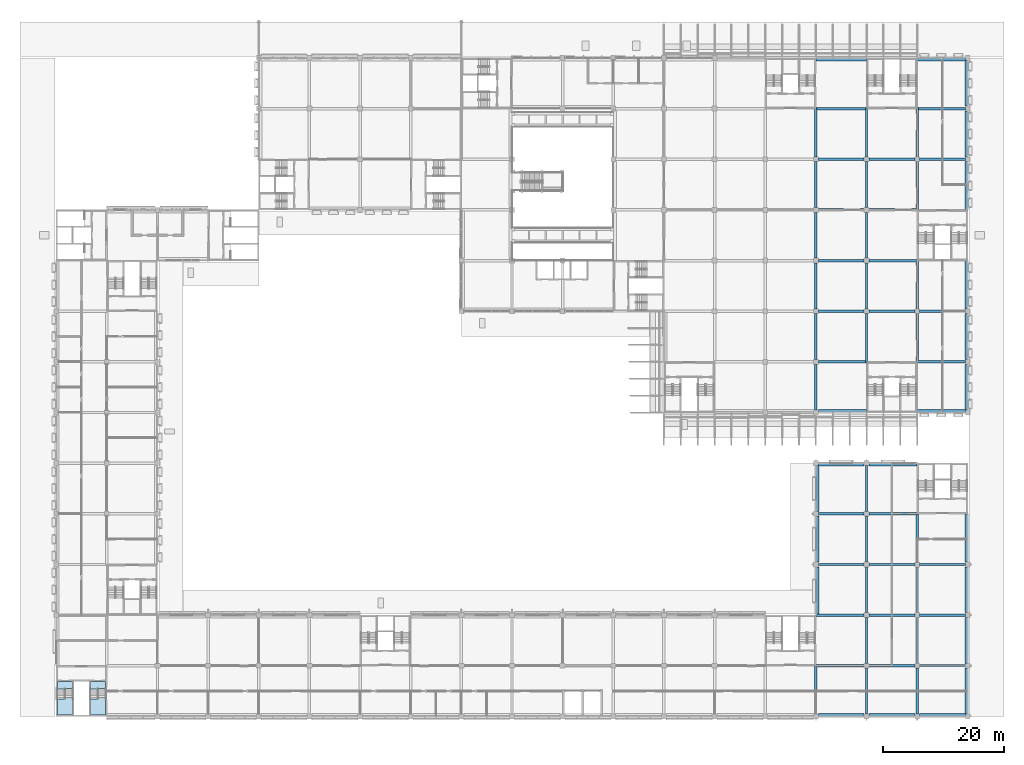
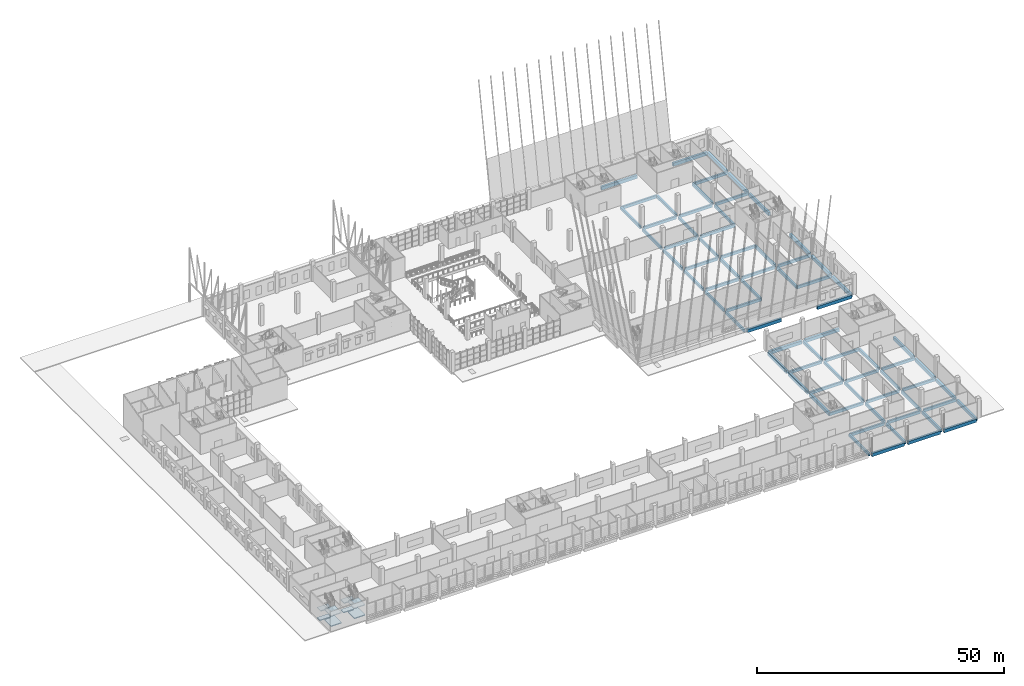
# One storey, part 19 of 101: 72 beams, 8 slabs, 2 elements without a shape of their own.
"""IFC4 building model written with IfcOpenShell, lengths in metres."""

from ifc_helpers import new_model, si_unit, direction, frame, origin, origin_2d, place, context, subcontext, project, spatial, polyline, rectangle, outline, extrude, material, layer, layer_set, material_profile, profile_set, type_object, element, aggregate, save


model = new_model("IFC4")

# Units and contexts
model_context = context("Model", 3, precision=1e-05, world=origin(), true_north=direction((0.0, 1.0)))
body_context = subcontext(model_context, "Body", "Model", "MODEL_VIEW")
ifc_project = project(units=[si_unit("LENGTHUNIT", "METRE"), si_unit("AREAUNIT", "SQUARE_METRE"), si_unit("VOLUMEUNIT", "CUBIC_METRE"), si_unit("PLANEANGLEUNIT", "RADIAN"), si_unit("MASSUNIT", "GRAM", prefix="KILO")], contexts=[model_context])

# Site, building, storey
site_placement = place(None, origin())
site = spatial("IfcSite", under=ifc_project, at=site_placement, CompositionType="ELEMENT")
building_placement = place(site_placement, origin())
building = spatial("IfcBuilding", under=site, at=building_placement, Name="Almond Square Museum", CompositionType="ELEMENT")
storey_placement = place(building_placement, frame((0.0, 0.0, 5.5)))
storey = spatial("IfcBuildingStorey", under=building, at=storey_placement, Name="L01", CompositionType="ELEMENT", Elevation=5.5)

# Beams
ifc_material_1 = material(Name="Concrete C40/50", Category="concrete")
ifc_material_profile_1 = material_profile(ifc_material_1, rectangle(XDim=0.39990234375, YDim=0.699951171875, at=origin_2d()))
ifc_profile_set_1 = profile_set([ifc_material_profile_1], Name="Concrete C40/50")
beam_type_1 = type_object("IfcBeamType", Name="RC beam 400 x 700 C40/50", PredefinedType="BEAM", material=ifc_profile_set_1)
beam_1_placement = place(storey_placement, frame((132.0, 8.39990234375, -0.60009765625), z_axis=(1.0, 0.0, 0.0), x_axis=(0.0, 1.0, 0.0)))
element("IfcBeam", 1, at=beam_1_placement, inside=storey, type_object=beam_type_1, Name="Beam B 17-18 L01", PredefinedType="BEAM", context=body_context, shape_type="SweptSolid", body=[
    extrude(rectangle(XDim=0.39990234375, YDim=0.699951171875, at=origin_2d()), origin(), (0.0, 0.0, 1.0), 8.0),
])
beam_2_placement = place(storey_placement, frame((140.800048828125, 8.39990234375, -0.60009765625), z_axis=(1.0, 0.0, 0.0), x_axis=(0.0, 1.0, 0.0)))
element("IfcBeam", 2, at=beam_2_placement, inside=storey, type_object=beam_type_1, Name="Beam B 18-19 L01", PredefinedType="BEAM", context=body_context, shape_type="SweptSolid", body=[
    extrude(rectangle(XDim=0.39990234375, YDim=0.699951171875, at=origin_2d()), origin(), (0.0, 0.0, 1.0), 7.599853515625),
])
beam_3_placement = place(storey_placement, frame((149.199951171875, 8.39990234375, -0.60009765625), z_axis=(1.0, 0.0, 0.0), x_axis=(0.0, 1.0, 0.0)))
element("IfcBeam", 3, at=beam_3_placement, inside=storey, type_object=beam_type_1, Name="Beam B 19-20 L01", PredefinedType="BEAM", context=body_context, shape_type="SweptSolid", body=[
    extrude(rectangle(XDim=0.39990234375, YDim=0.699951171875, at=origin_2d()), origin(), (0.0, 0.0, 1.0), 7.60009765625),
])
beam_4_placement = place(storey_placement, frame((132.0, 16.800048828125, -0.60009765625), z_axis=(1.0, 0.0, 0.0), x_axis=(0.0, 1.0, 0.0)))
element("IfcBeam", 4, at=beam_4_placement, inside=storey, type_object=beam_type_1, Name="Beam C 17-18 L01", PredefinedType="BEAM", context=body_context, shape_type="SweptSolid", body=[
    extrude(rectangle(XDim=0.39990234375, YDim=0.699951171875, at=origin_2d()), origin(), (0.0, 0.0, 1.0), 8.0),
])
beam_5_placement = place(storey_placement, frame((140.800048828125, 16.800048828125, -0.60009765625), z_axis=(1.0, 0.0, 0.0), x_axis=(0.0, 1.0, 0.0)))
element("IfcBeam", 5, at=beam_5_placement, inside=storey, type_object=beam_type_1, Name="Beam C 18-19 L01", PredefinedType="BEAM", context=body_context, shape_type="SweptSolid", body=[
    extrude(rectangle(XDim=0.39990234375, YDim=0.699951171875, at=origin_2d()), origin(), (0.0, 0.0, 1.0), 7.599853515625),
])
for number, where, z_axis, x_axis, name in (
    (6, (149.199951171875, 16.800048828125, -0.60009765625), (1.0, 0.0, 0.0), (0.0, 1.0, 0.0), "Beam C 19-20 L01"),
    (7, (132.39990234375, 25.199951171875, -0.60009765625), (1.0, 0.0, 0.0), (0.0, 1.0, 0.0), "Beam D 17-18 L01"),
):
    element("IfcBeam", number, at=place(storey_placement, frame(where, z_axis=z_axis, x_axis=x_axis)), inside=storey, type_object=beam_type_1, Name=name, PredefinedType="BEAM", context=body_context, shape_type="SweptSolid", body=[
        extrude(rectangle(XDim=0.39990234375, YDim=0.699951171875, at=origin_2d()), origin(), (0.0, 0.0, 1.0), 7.60009765625),
    ])
beam_6_placement = place(storey_placement, frame((140.800048828125, 25.199951171875, -0.60009765625), z_axis=(1.0, 0.0, 0.0), x_axis=(0.0, 1.0, 0.0)))
element("IfcBeam", 8, at=beam_6_placement, inside=storey, type_object=beam_type_1, Name="Beam D 18-19 L01", PredefinedType="BEAM", context=body_context, shape_type="SweptSolid", body=[
    extrude(rectangle(XDim=0.39990234375, YDim=0.699951171875, at=origin_2d()), origin(), (0.0, 0.0, 1.0), 7.599853515625),
])
for number, where, z_axis, x_axis, name in (
    (9, (149.199951171875, 25.199951171875, -0.60009765625), (1.0, 0.0, 0.0), (0.0, 1.0, 0.0), "Beam D 19-20 L01"),
    (10, (132.39990234375, 33.60009765625, -0.60009765625), (1.0, 0.0, 0.0), (0.0, 1.0, 0.0), "Beam E 17-18 L01"),
):
    element("IfcBeam", number, at=place(storey_placement, frame(where, z_axis=z_axis, x_axis=x_axis)), inside=storey, type_object=beam_type_1, Name=name, PredefinedType="BEAM", context=body_context, shape_type="SweptSolid", body=[
        extrude(rectangle(XDim=0.39990234375, YDim=0.699951171875, at=origin_2d()), origin(), (0.0, 0.0, 1.0), 7.60009765625),
    ])
for number, where, z_axis, x_axis, name in (
    (11, (140.800048828125, 33.60009765625, -0.60009765625), (1.0, 0.0, 0.0), (0.0, 1.0, 0.0), "Beam E 18-19 L01"),
    (12, (132.39990234375, 58.800048828125, -0.60009765625), (1.0, 0.0, 0.0), (0.0, 1.0, 0.0), "Beam H 17-18 L01"),
    (13, (148.800048828125, 58.800048828125, -0.60009765625), (1.0, 0.0, 0.0), (0.0, 1.0, 0.0), "Beam H 19-20 L01"),
):
    element("IfcBeam", number, at=place(storey_placement, frame(where, z_axis=z_axis, x_axis=x_axis)), inside=storey, type_object=beam_type_1, Name=name, PredefinedType="BEAM", context=body_context, shape_type="SweptSolid", body=[
        extrude(rectangle(XDim=0.39990234375, YDim=0.699951171875, at=origin_2d()), origin(), (0.0, 0.0, 1.0), 8.0),
    ])
beam_7_placement = place(storey_placement, frame((132.39990234375, 67.199951171875, -0.60009765625), z_axis=(1.0, 0.0, 0.0), x_axis=(0.0, 1.0, 0.0)))
element("IfcBeam", 14, at=beam_7_placement, inside=storey, type_object=beam_type_1, Name="Beam I 17-18 L01", PredefinedType="BEAM", context=body_context, shape_type="SweptSolid", body=[
    extrude(rectangle(XDim=0.39990234375, YDim=0.699951171875, at=origin_2d()), origin(), (0.0, 0.0, 1.0), 7.60009765625),
])
beam_8_placement = place(storey_placement, frame((140.800048828125, 67.199951171875, -0.60009765625), z_axis=(1.0, 0.0, 0.0), x_axis=(0.0, 1.0, 0.0)))
element("IfcBeam", 15, at=beam_8_placement, inside=storey, type_object=beam_type_1, Name="Beam I 18-19 L01", PredefinedType="BEAM", context=body_context, shape_type="SweptSolid", body=[
    extrude(rectangle(XDim=0.39990234375, YDim=0.699951171875, at=origin_2d()), origin(), (0.0, 0.0, 1.0), 7.599853515625),
])
for number, where, z_axis, x_axis, name in (
    (16, (149.199951171875, 67.199951171875, -0.60009765625), (1.0, 0.0, 0.0), (0.0, 1.0, 0.0), "Beam I 19-20 L01"),
    (17, (132.39990234375, 75.60009765625, -0.60009765625), (1.0, 0.0, 0.0), (0.0, 1.0, 0.0), "Beam J 17-18 L01"),
):
    element("IfcBeam", number, at=place(storey_placement, frame(where, z_axis=z_axis, x_axis=x_axis)), inside=storey, type_object=beam_type_1, Name=name, PredefinedType="BEAM", context=body_context, shape_type="SweptSolid", body=[
        extrude(rectangle(XDim=0.39990234375, YDim=0.699951171875, at=origin_2d()), origin(), (0.0, 0.0, 1.0), 7.60009765625),
    ])
beam_9_placement = place(storey_placement, frame((140.800048828125, 75.60009765625, -0.60009765625), z_axis=(1.0, 0.0, 0.0), x_axis=(0.0, 1.0, 0.0)))
element("IfcBeam", 18, at=beam_9_placement, inside=storey, type_object=beam_type_1, Name="Beam J 18-19 L01", PredefinedType="BEAM", context=body_context, shape_type="SweptSolid", body=[
    extrude(rectangle(XDim=0.39990234375, YDim=0.699951171875, at=origin_2d()), origin(), (0.0, 0.0, 1.0), 8.0),
])
beam_10_placement = place(storey_placement, frame((132.39990234375, 84.0, -0.60009765625), z_axis=(1.0, 0.0, 0.0), x_axis=(0.0, 1.0, 0.0)))
element("IfcBeam", 19, at=beam_10_placement, inside=storey, type_object=beam_type_1, Name="Beam K 17-18 L01", PredefinedType="BEAM", context=body_context, shape_type="SweptSolid", body=[
    extrude(rectangle(XDim=0.39990234375, YDim=0.699951171875, at=origin_2d()), origin(), (0.0, 0.0, 1.0), 7.60009765625),
])
beam_11_placement = place(storey_placement, frame((140.800048828125, 84.0, -0.60009765625), z_axis=(1.0, 0.0, 0.0), x_axis=(0.0, 1.0, 0.0)))
element("IfcBeam", 20, at=beam_11_placement, inside=storey, type_object=beam_type_1, Name="Beam K 18-19 L01", PredefinedType="BEAM", context=body_context, shape_type="SweptSolid", body=[
    extrude(rectangle(XDim=0.39990234375, YDim=0.699951171875, at=origin_2d()), origin(), (0.0, 0.0, 1.0), 8.0),
])
beam_12_placement = place(storey_placement, frame((132.39990234375, 92.39990234375, -0.60009765625), z_axis=(1.0, 0.0, 0.0), x_axis=(0.0, 1.0, 0.0)))
element("IfcBeam", 21, at=beam_12_placement, inside=storey, type_object=beam_type_1, Name="Beam L 17-18 L01", PredefinedType="BEAM", context=body_context, shape_type="SweptSolid", body=[
    extrude(rectangle(XDim=0.39990234375, YDim=0.699951171875, at=origin_2d()), origin(), (0.0, 0.0, 1.0), 7.60009765625),
])
beam_13_placement = place(storey_placement, frame((140.800048828125, 92.39990234375, -0.60009765625), z_axis=(1.0, 0.0, 0.0), x_axis=(0.0, 1.0, 0.0)))
element("IfcBeam", 22, at=beam_13_placement, inside=storey, type_object=beam_type_1, Name="Beam L 18-19 L01", PredefinedType="BEAM", context=body_context, shape_type="SweptSolid", body=[
    extrude(rectangle(XDim=0.39990234375, YDim=0.699951171875, at=origin_2d()), origin(), (0.0, 0.0, 1.0), 7.599853515625),
])
beam_14_placement = place(storey_placement, frame((149.199951171875, 92.39990234375, -0.60009765625), z_axis=(1.0, 0.0, 0.0), x_axis=(0.0, 1.0, 0.0)))
element("IfcBeam", 23, at=beam_14_placement, inside=storey, type_object=beam_type_1, Name="Beam L 19-20 L01", PredefinedType="BEAM", context=body_context, shape_type="SweptSolid", body=[
    extrude(rectangle(XDim=0.39990234375, YDim=0.699951171875, at=origin_2d()), origin(), (0.0, 0.0, 1.0), 7.60009765625),
])
beam_15_placement = place(storey_placement, frame((132.0, 100.800048828125, -0.60009765625), z_axis=(1.0, 0.0, 0.0), x_axis=(0.0, 1.0, 0.0)))
element("IfcBeam", 24, at=beam_15_placement, inside=storey, type_object=beam_type_1, Name="Beam M 17-18 L01", PredefinedType="BEAM", context=body_context, shape_type="SweptSolid", body=[
    extrude(rectangle(XDim=0.39990234375, YDim=0.699951171875, at=origin_2d()), origin(), (0.0, 0.0, 1.0), 8.39990234375),
])
for number, where, z_axis, x_axis, name in (
    (25, (148.800048828125, 100.800048828125, -0.60009765625), (1.0, 0.0, 0.0), (0.0, 1.0, 0.0), "Beam M 19-20 L01"),
    (26, (132.0, 0.39990234375, -0.60009765625), (0.0, 1.0, 0.0), (-1.0, 0.0, 0.0), "Beam 17 A-B L01"),
):
    element("IfcBeam", number, at=place(storey_placement, frame(where, z_axis=z_axis, x_axis=x_axis)), inside=storey, type_object=beam_type_1, Name=name, PredefinedType="BEAM", context=body_context, shape_type="SweptSolid", body=[
        extrude(rectangle(XDim=0.39990234375, YDim=0.699951171875, at=origin_2d()), origin(), (0.0, 0.0, 1.0), 8.0),
    ])
beam_16_placement = place(storey_placement, frame((132.0, 50.800048828125, -0.60009765625), z_axis=(0.0, 1.0, 0.0), x_axis=(-1.0, 0.0, 0.0)))
element("IfcBeam", 27, at=beam_16_placement, inside=storey, type_object=beam_type_1, Name="Beam 17 G-H L01", PredefinedType="BEAM", context=body_context, shape_type="SweptSolid", body=[
    extrude(rectangle(XDim=0.39990234375, YDim=0.699951171875, at=origin_2d()), origin(), (0.0, 0.0, 1.0), 7.599853515625),
])
beam_17_placement = place(storey_placement, frame((132.0, 59.199951171875, -0.60009765625), z_axis=(0.0, 1.0, 0.0), x_axis=(-1.0, 0.0, 0.0)))
element("IfcBeam", 28, at=beam_17_placement, inside=storey, type_object=beam_type_1, Name="Beam 17 H-I L01", PredefinedType="BEAM", context=body_context, shape_type="SweptSolid", body=[
    extrude(rectangle(XDim=0.39990234375, YDim=0.699951171875, at=origin_2d()), origin(), (0.0, 0.0, 1.0), 7.60009765625),
])
beam_18_placement = place(storey_placement, frame((132.0, 67.60009765625, -0.60009765625), z_axis=(0.0, 1.0, 0.0), x_axis=(-1.0, 0.0, 0.0)))
element("IfcBeam", 29, at=beam_18_placement, inside=storey, type_object=beam_type_1, Name="Beam 17 I-J L01", PredefinedType="BEAM", context=body_context, shape_type="SweptSolid", body=[
    extrude(rectangle(XDim=0.39990234375, YDim=0.699951171875, at=origin_2d()), origin(), (0.0, 0.0, 1.0), 7.599853515625),
])
for number, where, z_axis, x_axis, name in (
    (30, (132.0, 76.0, -0.60009765625), (0.0, 1.0, 0.0), (-1.0, 0.0, 0.0), "Beam 17 J-K L01"),
    (31, (132.0, 84.39990234375, -0.60009765625), (0.0, 1.0, 0.0), (-1.0, 0.0, 0.0), "Beam 17 K-L L01"),
):
    element("IfcBeam", number, at=place(storey_placement, frame(where, z_axis=z_axis, x_axis=x_axis)), inside=storey, type_object=beam_type_1, Name=name, PredefinedType="BEAM", context=body_context, shape_type="SweptSolid", body=[
        extrude(rectangle(XDim=0.39990234375, YDim=0.699951171875, at=origin_2d()), origin(), (0.0, 0.0, 1.0), 7.60009765625),
    ])
beam_19_placement = place(storey_placement, frame((132.0, 92.800048828125, -0.60009765625), z_axis=(0.0, 1.0, 0.0), x_axis=(-1.0, 0.0, 0.0)))
element("IfcBeam", 32, at=beam_19_placement, inside=storey, type_object=beam_type_1, Name="Beam 17 L-M L01", PredefinedType="BEAM", context=body_context, shape_type="SweptSolid", body=[
    extrude(rectangle(XDim=0.39990234375, YDim=0.699951171875, at=origin_2d()), origin(), (0.0, 0.0, 1.0), 8.0),
])
beam_20_placement = place(storey_placement, frame((140.39990234375, 0.39990234375, -0.60009765625), z_axis=(0.0, 1.0, 0.0), x_axis=(-1.0, 0.0, 0.0)))
element("IfcBeam", 33, at=beam_20_placement, inside=storey, type_object=beam_type_1, Name="Beam 18 A-B L01", PredefinedType="BEAM", context=body_context, shape_type="SweptSolid", body=[
    extrude(rectangle(XDim=0.39990234375, YDim=0.699951171875, at=origin_2d()), origin(), (0.0, 0.0, 1.0), 7.60009765625),
])
beam_21_placement = place(storey_placement, frame((140.39990234375, 8.800048828125, -0.60009765625), z_axis=(0.0, 1.0, 0.0), x_axis=(-1.0, 0.0, 0.0)))
element("IfcBeam", 34, at=beam_21_placement, inside=storey, type_object=beam_type_1, Name="Beam 18 B-C L01", PredefinedType="BEAM", context=body_context, shape_type="SweptSolid", body=[
    extrude(rectangle(XDim=0.39990234375, YDim=0.699951171875, at=origin_2d()), origin(), (0.0, 0.0, 1.0), 7.599853515625),
])
beam_22_placement = place(storey_placement, frame((140.39990234375, 17.199951171875, -0.60009765625), z_axis=(0.0, 1.0, 0.0), x_axis=(-1.0, 0.0, 0.0)))
element("IfcBeam", 35, at=beam_22_placement, inside=storey, type_object=beam_type_1, Name="Beam 18 C-D L01", PredefinedType="BEAM", context=body_context, shape_type="SweptSolid", body=[
    extrude(rectangle(XDim=0.39990234375, YDim=0.699951171875, at=origin_2d()), origin(), (0.0, 0.0, 1.0), 7.60009765625),
])
beam_23_placement = place(storey_placement, frame((140.39990234375, 25.60009765625, -0.60009765625), z_axis=(0.0, 1.0, 0.0), x_axis=(-1.0, 0.0, 0.0)))
element("IfcBeam", 36, at=beam_23_placement, inside=storey, type_object=beam_type_1, Name="Beam 18 D-E L01", PredefinedType="BEAM", context=body_context, shape_type="SweptSolid", body=[
    extrude(rectangle(XDim=0.39990234375, YDim=0.699951171875, at=origin_2d()), origin(), (0.0, 0.0, 1.0), 7.599853515625),
])
beam_24_placement = place(storey_placement, frame((140.39990234375, 34.0, -0.60009765625), z_axis=(0.0, 1.0, 0.0), x_axis=(-1.0, 0.0, 0.0)))
element("IfcBeam", 37, at=beam_24_placement, inside=storey, type_object=beam_type_1, Name="Beam 18 E-F L01", PredefinedType="BEAM", context=body_context, shape_type="SweptSolid", body=[
    extrude(rectangle(XDim=0.39990234375, YDim=0.699951171875, at=origin_2d()), origin(), (0.0, 0.0, 1.0), 7.60009765625),
])
beam_25_placement = place(storey_placement, frame((140.39990234375, 58.800048828125, -0.60009765625), z_axis=(0.0, 1.0, 0.0), x_axis=(-1.0, 0.0, 0.0)))
element("IfcBeam", 38, at=beam_25_placement, inside=storey, type_object=beam_type_1, Name="Beam 18 H-I L01", PredefinedType="BEAM", context=body_context, shape_type="SweptSolid", body=[
    extrude(rectangle(XDim=0.39990234375, YDim=0.699951171875, at=origin_2d()), origin(), (0.0, 0.0, 1.0), 8.0),
])
beam_26_placement = place(storey_placement, frame((140.39990234375, 67.60009765625, -0.60009765625), z_axis=(0.0, 1.0, 0.0), x_axis=(-1.0, 0.0, 0.0)))
element("IfcBeam", 39, at=beam_26_placement, inside=storey, type_object=beam_type_1, Name="Beam 18 I-J L01", PredefinedType="BEAM", context=body_context, shape_type="SweptSolid", body=[
    extrude(rectangle(XDim=0.39990234375, YDim=0.699951171875, at=origin_2d()), origin(), (0.0, 0.0, 1.0), 7.599853515625),
])
for number, where, z_axis, x_axis, name in (
    (40, (140.39990234375, 76.0, -0.60009765625), (0.0, 1.0, 0.0), (-1.0, 0.0, 0.0), "Beam 18 J-K L01"),
    (41, (140.39990234375, 84.39990234375, -0.60009765625), (0.0, 1.0, 0.0), (-1.0, 0.0, 0.0), "Beam 18 K-L L01"),
):
    element("IfcBeam", number, at=place(storey_placement, frame(where, z_axis=z_axis, x_axis=x_axis)), inside=storey, type_object=beam_type_1, Name=name, PredefinedType="BEAM", context=body_context, shape_type="SweptSolid", body=[
        extrude(rectangle(XDim=0.39990234375, YDim=0.699951171875, at=origin_2d()), origin(), (0.0, 0.0, 1.0), 7.60009765625),
    ])
beam_27_placement = place(storey_placement, frame((140.39990234375, 92.800048828125, -0.60009765625), z_axis=(0.0, 1.0, 0.0), x_axis=(-1.0, 0.0, 0.0)))
element("IfcBeam", 42, at=beam_27_placement, inside=storey, type_object=beam_type_1, Name="Beam 18 L-M L01", PredefinedType="BEAM", context=body_context, shape_type="SweptSolid", body=[
    extrude(rectangle(XDim=0.39990234375, YDim=0.699951171875, at=origin_2d()), origin(), (0.0, 0.0, 1.0), 8.0),
])
beam_28_placement = place(storey_placement, frame((148.800048828125, 0.39990234375, -0.60009765625), z_axis=(0.0, 1.0, 0.0), x_axis=(-1.0, 0.0, 0.0)))
element("IfcBeam", 43, at=beam_28_placement, inside=storey, type_object=beam_type_1, Name="Beam 19 A-B L01", PredefinedType="BEAM", context=body_context, shape_type="SweptSolid", body=[
    extrude(rectangle(XDim=0.39990234375, YDim=0.699951171875, at=origin_2d()), origin(), (0.0, 0.0, 1.0), 7.60009765625),
])
beam_29_placement = place(storey_placement, frame((148.800048828125, 8.800048828125, -0.60009765625), z_axis=(0.0, 1.0, 0.0), x_axis=(-1.0, 0.0, 0.0)))
element("IfcBeam", 44, at=beam_29_placement, inside=storey, type_object=beam_type_1, Name="Beam 19 B-C L01", PredefinedType="BEAM", context=body_context, shape_type="SweptSolid", body=[
    extrude(rectangle(XDim=0.39990234375, YDim=0.699951171875, at=origin_2d()), origin(), (0.0, 0.0, 1.0), 7.599853515625),
])
beam_30_placement = place(storey_placement, frame((148.800048828125, 17.199951171875, -0.60009765625), z_axis=(0.0, 1.0, 0.0), x_axis=(-1.0, 0.0, 0.0)))
element("IfcBeam", 45, at=beam_30_placement, inside=storey, type_object=beam_type_1, Name="Beam 19 C-D L01", PredefinedType="BEAM", context=body_context, shape_type="SweptSolid", body=[
    extrude(rectangle(XDim=0.39990234375, YDim=0.699951171875, at=origin_2d()), origin(), (0.0, 0.0, 1.0), 7.60009765625),
])
for number, where, z_axis, x_axis, name in (
    (46, (148.800048828125, 25.60009765625, -0.60009765625), (0.0, 1.0, 0.0), (-1.0, 0.0, 0.0), "Beam 19 D-E L01"),
    (47, (148.800048828125, 58.800048828125, -0.60009765625), (0.0, 1.0, 0.0), (-1.0, 0.0, 0.0), "Beam 19 H-I L01"),
    (48, (148.800048828125, 67.60009765625, -0.60009765625), (0.0, 1.0, 0.0), (-1.0, 0.0, 0.0), "Beam 19 I-J L01"),
    (49, (148.800048828125, 84.0, -0.60009765625), (0.0, 1.0, 0.0), (-1.0, 0.0, 0.0), "Beam 19 K-L L01"),
    (50, (148.800048828125, 92.800048828125, -0.60009765625), (0.0, 1.0, 0.0), (-1.0, 0.0, 0.0), "Beam 19 L-M L01"),
):
    element("IfcBeam", number, at=place(storey_placement, frame(where, z_axis=z_axis, x_axis=x_axis)), inside=storey, type_object=beam_type_1, Name=name, PredefinedType="BEAM", context=body_context, shape_type="SweptSolid", body=[
        extrude(rectangle(XDim=0.39990234375, YDim=0.699951171875, at=origin_2d()), origin(), (0.0, 0.0, 1.0), 8.0),
    ])
ifc_material_2 = material(Name="Concrete C40/50", Category="concrete")
ifc_material_profile_2 = material_profile(ifc_material_2, rectangle(XDim=0.5, YDim=0.800048828125, at=origin_2d()))
ifc_profile_set_2 = profile_set([ifc_material_profile_2], Name="Concrete C40/50")
beam_type_2 = type_object("IfcBeamType", Name="RC edge beam 500 x 800 C40/50", PredefinedType="BEAM", material=ifc_profile_set_2)
beam_31_placement = place(storey_placement, frame((132.39990234375, 0.25, -0.64990234375), z_axis=(1.0, 0.0, 0.0), x_axis=(0.0, 1.0, 0.0)))
element("IfcBeam", 51, at=beam_31_placement, inside=storey, type_object=beam_type_2, Name="Edge beam A 17-18 L01", PredefinedType="BEAM", context=body_context, shape_type="SweptSolid", body=[
    extrude(rectangle(XDim=0.5, YDim=0.800048828125, at=origin_2d()), origin(), (0.0, 0.0, 1.0), 7.60009765625),
])
beam_32_placement = place(storey_placement, frame((140.800048828125, 0.25, -0.64990234375), z_axis=(1.0, 0.0, 0.0), x_axis=(0.0, 1.0, 0.0)))
element("IfcBeam", 52, at=beam_32_placement, inside=storey, type_object=beam_type_2, Name="Edge beam A 18-19 L01", PredefinedType="BEAM", context=body_context, shape_type="SweptSolid", body=[
    extrude(rectangle(XDim=0.5, YDim=0.800048828125, at=origin_2d()), origin(), (0.0, 0.0, 1.0), 7.599853515625),
])
for number, where, z_axis, x_axis, name in (
    (53, (149.199951171875, 0.25, -0.64990234375), (1.0, 0.0, 0.0), (0.0, 1.0, 0.0), "Edge beam A 19-20 L01"),
    (54, (132.39990234375, 41.75, -0.64990234375), (1.0, 0.0, 0.0), (0.0, 1.0, 0.0), "Edge beam F 17-18 L01"),
):
    element("IfcBeam", number, at=place(storey_placement, frame(where, z_axis=z_axis, x_axis=x_axis)), inside=storey, type_object=beam_type_2, Name=name, PredefinedType="BEAM", context=body_context, shape_type="SweptSolid", body=[
        extrude(rectangle(XDim=0.5, YDim=0.800048828125, at=origin_2d()), origin(), (0.0, 0.0, 1.0), 7.60009765625),
    ])
for number, where, z_axis, x_axis, name in (
    (55, (140.800048828125, 41.75, -0.64990234375), (1.0, 0.0, 0.0), (0.0, 1.0, 0.0), "Edge beam F 18-19 L01"),
    (56, (132.39990234375, 50.64990234375, -0.64990234375), (1.0, 0.0, 0.0), (0.0, 1.0, 0.0), "Edge beam G 17-18 L01"),
    (57, (148.800048828125, 50.64990234375, -0.64990234375), (1.0, 0.0, 0.0), (0.0, 1.0, 0.0), "Edge beam G 19-20 L01"),
):
    element("IfcBeam", number, at=place(storey_placement, frame(where, z_axis=z_axis, x_axis=x_axis)), inside=storey, type_object=beam_type_2, Name=name, PredefinedType="BEAM", context=body_context, shape_type="SweptSolid", body=[
        extrude(rectangle(XDim=0.5, YDim=0.800048828125, at=origin_2d()), origin(), (0.0, 0.0, 1.0), 8.0),
    ])
beam_33_placement = place(storey_placement, frame((132.0, 108.949951171875, -0.64990234375), z_axis=(1.0, 0.0, 0.0), x_axis=(0.0, 1.0, 0.0)))
element("IfcBeam", 58, at=beam_33_placement, inside=storey, type_object=beam_type_2, Name="Edge beam N 17-18 L01", PredefinedType="BEAM", context=body_context, shape_type="SweptSolid", body=[
    extrude(rectangle(XDim=0.5, YDim=0.800048828125, at=origin_2d()), origin(), (0.0, 0.0, 1.0), 8.39990234375),
])
for number, where, z_axis, x_axis, name in (
    (59, (148.800048828125, 108.949951171875, -0.64990234375), (1.0, 0.0, 0.0), (0.0, 1.0, 0.0), "Edge beam N 19-20 L01"),
    (60, (132.25, 16.800048828125, -0.64990234375), (0.0, 1.0, 0.0), (-1.0, 0.0, 0.0), "Edge beam 17 C-D L01"),
):
    element("IfcBeam", number, at=place(storey_placement, frame(where, z_axis=z_axis, x_axis=x_axis)), inside=storey, type_object=beam_type_2, Name=name, PredefinedType="BEAM", context=body_context, shape_type="SweptSolid", body=[
        extrude(rectangle(XDim=0.5, YDim=0.800048828125, at=origin_2d()), origin(), (0.0, 0.0, 1.0), 8.0),
    ])
beam_34_placement = place(storey_placement, frame((132.25, 25.60009765625, -0.64990234375), z_axis=(0.0, 1.0, 0.0), x_axis=(-1.0, 0.0, 0.0)))
element("IfcBeam", 61, at=beam_34_placement, inside=storey, type_object=beam_type_2, Name="Edge beam 17 D-E L01", PredefinedType="BEAM", context=body_context, shape_type="SweptSolid", body=[
    extrude(rectangle(XDim=0.5, YDim=0.800048828125, at=origin_2d()), origin(), (0.0, 0.0, 1.0), 7.599853515625),
])
for number, where, z_axis, x_axis, name in (
    (62, (132.25, 34.0, -0.64990234375), (0.0, 1.0, 0.0), (-1.0, 0.0, 0.0), "Edge beam 17 E-F L01"),
    (63, (156.949951171875, 0.39990234375, -0.64990234375), (0.0, 1.0, 0.0), (-1.0, 0.0, 0.0), "Edge beam 20 A-B L01"),
):
    element("IfcBeam", number, at=place(storey_placement, frame(where, z_axis=z_axis, x_axis=x_axis)), inside=storey, type_object=beam_type_2, Name=name, PredefinedType="BEAM", context=body_context, shape_type="SweptSolid", body=[
        extrude(rectangle(XDim=0.5, YDim=0.800048828125, at=origin_2d()), origin(), (0.0, 0.0, 1.0), 7.60009765625),
    ])
beam_35_placement = place(storey_placement, frame((156.949951171875, 8.800048828125, -0.64990234375), z_axis=(0.0, 1.0, 0.0), x_axis=(-1.0, 0.0, 0.0)))
element("IfcBeam", 64, at=beam_35_placement, inside=storey, type_object=beam_type_2, Name="Edge beam 20 B-C L01", PredefinedType="BEAM", context=body_context, shape_type="SweptSolid", body=[
    extrude(rectangle(XDim=0.5, YDim=0.800048828125, at=origin_2d()), origin(), (0.0, 0.0, 1.0), 7.599853515625),
])
beam_36_placement = place(storey_placement, frame((156.949951171875, 17.199951171875, -0.64990234375), z_axis=(0.0, 1.0, 0.0), x_axis=(-1.0, 0.0, 0.0)))
element("IfcBeam", 65, at=beam_36_placement, inside=storey, type_object=beam_type_2, Name="Edge beam 20 C-D L01", PredefinedType="BEAM", context=body_context, shape_type="SweptSolid", body=[
    extrude(rectangle(XDim=0.5, YDim=0.800048828125, at=origin_2d()), origin(), (0.0, 0.0, 1.0), 7.60009765625),
])
beam_37_placement = place(storey_placement, frame((156.949951171875, 25.60009765625, -0.64990234375), z_axis=(0.0, 1.0, 0.0), x_axis=(-1.0, 0.0, 0.0)))
element("IfcBeam", 66, at=beam_37_placement, inside=storey, type_object=beam_type_2, Name="Edge beam 20 D-E L01", PredefinedType="BEAM", context=body_context, shape_type="SweptSolid", body=[
    extrude(rectangle(XDim=0.5, YDim=0.800048828125, at=origin_2d()), origin(), (0.0, 0.0, 1.0), 8.0),
])
beam_38_placement = place(storey_placement, frame((156.949951171875, 50.800048828125, -0.64990234375), z_axis=(0.0, 1.0, 0.0), x_axis=(-1.0, 0.0, 0.0)))
element("IfcBeam", 67, at=beam_38_placement, inside=storey, type_object=beam_type_2, Name="Edge beam 20 G-H L01", PredefinedType="BEAM", context=body_context, shape_type="SweptSolid", body=[
    extrude(rectangle(XDim=0.5, YDim=0.800048828125, at=origin_2d()), origin(), (0.0, 0.0, 1.0), 7.599853515625),
])
beam_39_placement = place(storey_placement, frame((156.949951171875, 59.199951171875, -0.64990234375), z_axis=(0.0, 1.0, 0.0), x_axis=(-1.0, 0.0, 0.0)))
element("IfcBeam", 68, at=beam_39_placement, inside=storey, type_object=beam_type_2, Name="Edge beam 20 H-I L01", PredefinedType="BEAM", context=body_context, shape_type="SweptSolid", body=[
    extrude(rectangle(XDim=0.5, YDim=0.800048828125, at=origin_2d()), origin(), (0.0, 0.0, 1.0), 7.60009765625),
])
for number, where, z_axis, x_axis, name in (
    (69, (156.949951171875, 67.60009765625, -0.64990234375), (0.0, 1.0, 0.0), (-1.0, 0.0, 0.0), "Edge beam 20 I-J L01"),
    (70, (156.949951171875, 84.0, -0.64990234375), (0.0, 1.0, 0.0), (-1.0, 0.0, 0.0), "Edge beam 20 K-L L01"),
):
    element("IfcBeam", number, at=place(storey_placement, frame(where, z_axis=z_axis, x_axis=x_axis)), inside=storey, type_object=beam_type_2, Name=name, PredefinedType="BEAM", context=body_context, shape_type="SweptSolid", body=[
        extrude(rectangle(XDim=0.5, YDim=0.800048828125, at=origin_2d()), origin(), (0.0, 0.0, 1.0), 8.0),
    ])
beam_40_placement = place(storey_placement, frame((156.949951171875, 92.800048828125, -0.64990234375), z_axis=(0.0, 1.0, 0.0), x_axis=(-1.0, 0.0, 0.0)))
element("IfcBeam", 71, at=beam_40_placement, inside=storey, type_object=beam_type_2, Name="Edge beam 20 L-M L01", PredefinedType="BEAM", context=body_context, shape_type="SweptSolid", body=[
    extrude(rectangle(XDim=0.5, YDim=0.800048828125, at=origin_2d()), origin(), (0.0, 0.0, 1.0), 7.599853515625),
])
beam_41_placement = place(storey_placement, frame((156.949951171875, 101.199951171875, -0.64990234375), z_axis=(0.0, 1.0, 0.0), x_axis=(-1.0, 0.0, 0.0)))
element("IfcBeam", 72, at=beam_41_placement, inside=storey, type_object=beam_type_2, Name="Edge beam 20 M-N L01", PredefinedType="BEAM", context=body_context, shape_type="SweptSolid", body=[
    extrude(rectangle(XDim=0.5, YDim=0.800048828125, at=origin_2d()), origin(), (0.0, 0.0, 1.0), 7.60009765625),
])

# Stair, slabs
ifc_material_3 = material(Name="Concrete C40/50", Category="concrete")
stair_type = type_object("IfcStairType", Name="Exit stair 28 risers of 179 mm", PredefinedType="HALF_TURN_STAIR", material=ifc_material_3)
stair_1_placement = place(storey_placement, origin())
stair_1 = element("IfcStair", 73, at=stair_1_placement, inside=storey, type_object=stair_type, Name="L01 stair S1-1", PredefinedType="HALF_TURN_STAIR")
ifc_material_4 = material(Name="Concrete C40/50", Category="concrete")
ifc_layer = layer(ifc_material_4, 0.199951171875)
ifc_layer_set = layer_set([ifc_layer], Name="Concrete C40/50")
slab_type = type_object("IfcSlabType", Name="Concrete stair landing 200", PredefinedType="LANDING", material=ifc_layer_set)
slab_1_placement = place(storey_placement, frame((0.0, 0.0, 1.050048828125)))
slab_1 = element("IfcSlab", 74, at=slab_1_placement, type_object=slab_type, Name="ST-27 landing 1", PredefinedType="LANDING", context=body_context, shape_type="SweptSolid", body=[
    extrude(outline(polyline([(6.199951171875, 2.85302734375), (6.199951171875, 0.199951171875), (8.699951171875, 0.199951171875), (8.699951171875, 3.14990234375), (7.550048828125, 3.14990234375), (7.550048828125, 2.85302734375), (6.199951171875, 2.85302734375)])), origin(), (0.0, 0.0, 1.0), 0.199951171875),
])
slab_2_placement = place(storey_placement, frame((0.0, 0.0, 2.300048828125)))
slab_2 = element("IfcSlab", 75, at=slab_2_placement, type_object=slab_type, Name="ST-27 landing 2", PredefinedType="LANDING", context=body_context, shape_type="SweptSolid", body=[
    extrude(outline(polyline([(6.199951171875, 5.800048828125), (6.199951171875, 4.64990234375), (6.199951171875, 4.35009765625), (7.35009765625, 4.35009765625), (7.35009765625, 4.64697265625), (8.699951171875, 4.64697265625), (8.699951171875, 5.800048828125), (6.199951171875, 5.800048828125)])), origin(), (0.0, 0.0, 1.0), 0.199951171875),
])
slab_3_placement = place(storey_placement, frame((0.0, 0.0, 3.550048828125)))
slab_3 = element("IfcSlab", 76, at=slab_3_placement, type_object=slab_type, Name="ST-27 landing 3", PredefinedType="LANDING", context=body_context, shape_type="SweptSolid", body=[
    extrude(outline(polyline([(6.199951171875, 2.85302734375), (6.199951171875, 0.199951171875), (8.699951171875, 0.199951171875), (8.699951171875, 3.14990234375), (7.550048828125, 3.14990234375), (7.550048828125, 2.85302734375), (6.199951171875, 2.85302734375)])), origin(), (0.0, 0.0, 1.0), 0.199951171875),
])
aggregate(stair_1, [slab_1, slab_2, slab_3])

stair_2_placement = place(storey_placement, origin())
stair_2 = element("IfcStair", 77, at=stair_2_placement, inside=storey, type_object=stair_type, Name="L01 stair S1-2", PredefinedType="HALF_TURN_STAIR")
slab_4_placement = place(storey_placement, frame((0.0, 0.0, 1.050048828125)))
slab_4 = element("IfcSlab", 78, at=slab_4_placement, type_object=slab_type, Name="ST-28 landing 1", PredefinedType="LANDING", context=body_context, shape_type="SweptSolid", body=[
    extrude(outline(polyline([(11.699951171875, 2.85302734375), (11.699951171875, 0.199951171875), (14.199951171875, 0.199951171875), (14.199951171875, 3.14990234375), (13.050048828125, 3.14990234375), (13.050048828125, 2.85302734375), (11.699951171875, 2.85302734375)])), origin(), (0.0, 0.0, 1.0), 0.199951171875),
])
slab_5_placement = place(storey_placement, frame((0.0, 0.0, 2.300048828125)))
slab_5 = element("IfcSlab", 79, at=slab_5_placement, type_object=slab_type, Name="ST-28 landing 2", PredefinedType="LANDING", context=body_context, shape_type="SweptSolid", body=[
    extrude(outline(polyline([(11.699951171875, 5.800048828125), (11.699951171875, 4.64990234375), (11.699951171875, 4.35009765625), (12.85009765625, 4.35009765625), (12.85009765625, 4.64697265625), (14.199951171875, 4.64697265625), (14.199951171875, 5.800048828125), (11.699951171875, 5.800048828125)])), origin(), (0.0, 0.0, 1.0), 0.199951171875),
])
slab_6_placement = place(storey_placement, frame((0.0, 0.0, 3.550048828125)))
slab_6 = element("IfcSlab", 80, at=slab_6_placement, type_object=slab_type, Name="ST-28 landing 3", PredefinedType="LANDING", context=body_context, shape_type="SweptSolid", body=[
    extrude(outline(polyline([(11.699951171875, 2.85302734375), (11.699951171875, 0.199951171875), (14.199951171875, 0.199951171875), (14.199951171875, 3.14990234375), (13.050048828125, 3.14990234375), (13.050048828125, 2.85302734375), (11.699951171875, 2.85302734375)])), origin(), (0.0, 0.0, 1.0), 0.199951171875),
])
aggregate(stair_2, [slab_4, slab_5, slab_6])

# Slabs
slab_7_placement = place(storey_placement, frame((0.0, 0.0, -0.199951171875)))
element("IfcSlab", 81, at=slab_7_placement, inside=storey, type_object=slab_type, Name="L01 stair S1-1 floor landing", PredefinedType="LANDING", context=body_context, shape_type="SweptSolid", body=[
    extrude(outline(polyline([(6.199951171875, 4.64697265625), (8.699951171875, 4.64697265625), (8.699951171875, 5.800048828125), (6.199951171875, 5.800048828125), (6.199951171875, 4.64697265625)])), origin(), (0.0, 0.0, 1.0), 0.199951171875),
])
slab_8_placement = place(storey_placement, frame((0.0, 0.0, -0.199951171875)))
element("IfcSlab", 82, at=slab_8_placement, inside=storey, type_object=slab_type, Name="L01 stair S1-2 floor landing", PredefinedType="LANDING", context=body_context, shape_type="SweptSolid", body=[
    extrude(outline(polyline([(11.699951171875, 4.64697265625), (14.199951171875, 4.64697265625), (14.199951171875, 5.800048828125), (11.699951171875, 5.800048828125), (11.699951171875, 4.64697265625)])), origin(), (0.0, 0.0, 1.0), 0.199951171875),
])

save(model, "model.ifc")
